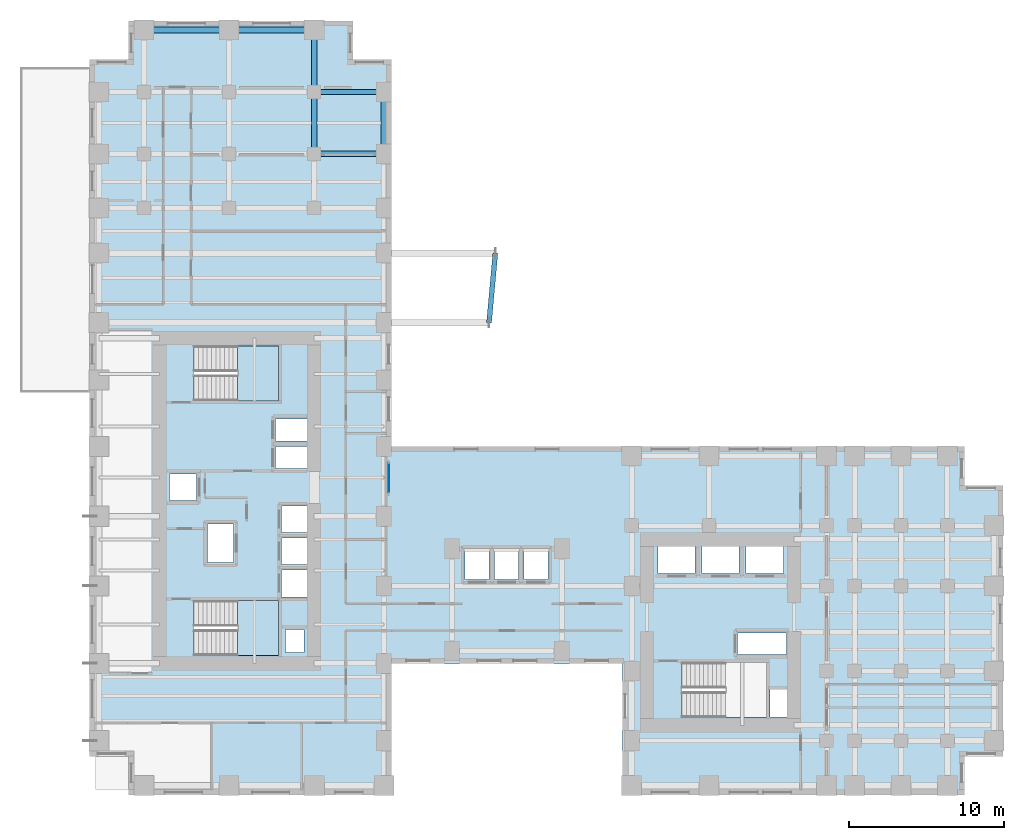
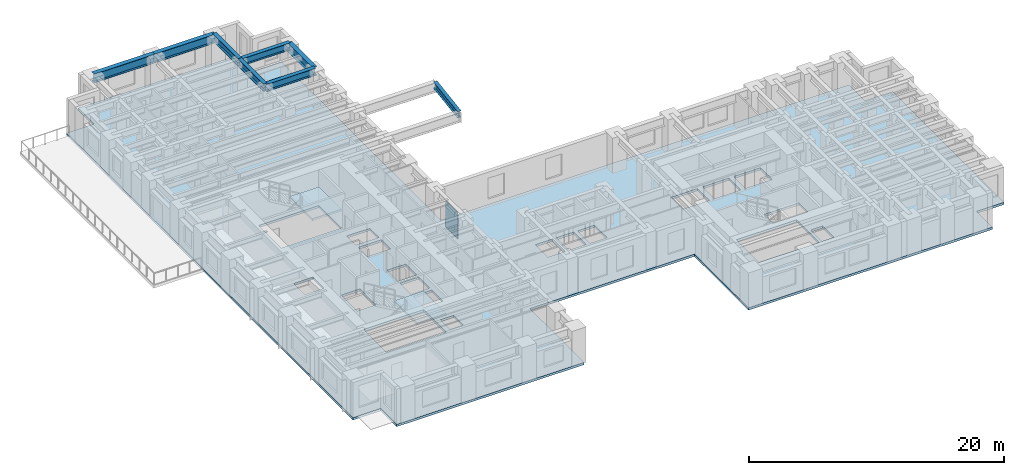
# One storey, part 4 of 15: 8 beams, 3 slabs, 1 plate, 3 elements without a shape of their own.
"""IFC4 building model written with IfcOpenShell, lengths in metres."""

from ifc_helpers import new_model, si_unit, direction, frame, origin, origin_2d, place, context, subcontext, project, spatial, polyline, rectangle, i_section, outline, extrude, source, transform, mapped, material, layer, layer_set, material_profile, profile_set, type_object, element, aggregate, save


model = new_model("IFC4")

# Units and contexts
model_context = context("Model", 3, precision=1e-05, world=origin(), true_north=direction((0.0, 1.0)))
body_context = subcontext(model_context, "Body", "Model", "MODEL_VIEW")
ifc_project = project(units=[si_unit("LENGTHUNIT", "METRE"), si_unit("AREAUNIT", "SQUARE_METRE"), si_unit("VOLUMEUNIT", "CUBIC_METRE"), si_unit("PLANEANGLEUNIT", "RADIAN"), si_unit("MASSUNIT", "GRAM", prefix="KILO")], contexts=[model_context])

# Site, building, storey
site_placement = place(None, origin())
site = spatial("IfcSite", under=ifc_project, at=site_placement, CompositionType="ELEMENT")
building_placement = place(site_placement, origin())
building = spatial("IfcBuilding", under=site, at=building_placement, Name="Kharzan Plaza Tower", CompositionType="ELEMENT")
storey_placement = place(building_placement, frame((0.0, 0.0, 22.5)))
storey = spatial("IfcBuildingStorey", under=building, at=storey_placement, Name="L05", CompositionType="ELEMENT", Elevation=22.5)

# Beams
ifc_material_1 = material(Name="Steel S355", Category="steel")
ifc_material_profile_1 = material_profile(ifc_material_1, i_section(OverallWidth=0.35498046875, OverallDepth=0.695068359375, WebThickness=0.015380859375, FlangeThickness=0.02490234375, at=origin_2d()), Name="W690x217")
ifc_profile_set_1 = profile_set([ifc_material_profile_1], Name="Steel S355")
beam_type_1 = type_object("IfcBeamType", Name="BM-FG690A", PredefinedType="BEAM", material=ifc_profile_set_1)
shared_shape_1 = source(origin(), body_context, "Body", "SweptSolid", [
    extrude(i_section(OverallWidth=0.35498046875, OverallDepth=0.695068359375, WebThickness=0.015380859375, FlangeThickness=0.02490234375, at=origin_2d()), origin(), (0.0, 0.0, 1.0), 4.5),
])
for number, where, z_axis, x_axis, name in (
    (1, (14.5, 41.39990234375, 3.032470703125), (1.0, 0.0, 0.0), (0.0, 1.0, 0.0), "L05 Primary Floor Girder"),
    (2, (14.5, 45.39990234375, 3.032470703125), (1.0, 0.0, 0.0), (0.0, 1.0, 0.0), "L05 Primary Floor Girder"),
):
    element("IfcBeam", number, at=place(storey_placement, frame(where, z_axis=z_axis, x_axis=x_axis)), inside=storey, type_object=beam_type_1, Name=name, PredefinedType="BEAM", context=body_context, shape_type="MappedRepresentation", body=[
        mapped(shared_shape_1, transform((0.0, 0.0, 0.0), x_axis=(1.0, 0.0, 0.0), y_axis=(0.0, 1.0, 0.0), z_axis=(0.0, 0.0, 1.0))),
    ])
shared_shape_2 = source(origin(), body_context, "Body", "SweptSolid", [
    extrude(i_section(OverallWidth=0.35498046875, OverallDepth=0.695068359375, WebThickness=0.015380859375, FlangeThickness=0.02490234375, at=origin_2d()), origin(), (0.0, 0.0, 1.0), 4.0),
])
for number, where, z_axis, x_axis, name in (
    (3, (14.5, 41.39990234375, 3.032470703125), (0.0, 1.0, 0.0), (-1.0, 0.0, 0.0), "L05 Interior Frame Girder"),
    (4, (14.5, 45.39990234375, 3.032470703125), (0.0, 1.0, 0.0), (-1.0, 0.0, 0.0), "L05 Interior Frame Girder"),
):
    element("IfcBeam", number, at=place(storey_placement, frame(where, z_axis=z_axis, x_axis=x_axis)), inside=storey, type_object=beam_type_1, Name=name, PredefinedType="BEAM", context=body_context, shape_type="MappedRepresentation", body=[
        mapped(shared_shape_2, transform((0.0, 0.0, 0.0), x_axis=(1.0, 0.0, 0.0), y_axis=(0.0, 1.0, 0.0), z_axis=(0.0, 0.0, 1.0))),
    ])
ifc_material_profile_2 = material_profile(ifc_material_1, i_section(OverallWidth=0.40087890625, OverallDepth=0.85498046875, WebThickness=0.018310546875, FlangeThickness=0.029296875, at=origin_2d()), Name="W840x299")
ifc_profile_set_2 = profile_set([ifc_material_profile_2], Name="Steel S355")
beam_type_2 = type_object("IfcBeamType", Name="BM-SP840A", PredefinedType="SPANDREL", material=ifc_profile_set_2)
shared_shape_3 = source(origin(), body_context, "Body", "SweptSolid", [
    extrude(i_section(OverallWidth=0.40087890625, OverallDepth=0.85498046875, WebThickness=0.018310546875, FlangeThickness=0.029296875, at=origin_2d()), origin(), (0.0, 0.0, 1.0), 4.0),
])
beam_1_placement = place(storey_placement, frame((19.0, 41.39990234375, 2.952392578125), z_axis=(0.0, 1.0, 0.0), x_axis=(-1.0, 0.0, 0.0)))
element("IfcBeam", 5, at=beam_1_placement, inside=storey, type_object=beam_type_2, Name="L05 Perimeter Tube Spandrel", PredefinedType="SPANDREL", context=body_context, shape_type="MappedRepresentation", body=[
    mapped(shared_shape_3, transform((0.0, 0.0, 0.0), x_axis=(1.0, 0.0, 0.0), y_axis=(0.0, 1.0, 0.0), z_axis=(0.0, 0.0, 1.0))),
])
shared_shape_4 = source(origin(), body_context, "Body", "SweptSolid", [
    extrude(i_section(OverallWidth=0.40087890625, OverallDepth=0.85498046875, WebThickness=0.018310546875, FlangeThickness=0.029296875, at=origin_2d()), origin(), (0.0, 0.0, 1.0), 5.5),
])
for number, where, z_axis, x_axis, name in (
    (6, (3.5, 49.39990234375, 2.952392578125), (1.0, 0.0, 0.0), (0.0, 1.0, 0.0), "L05 Perimeter Tube Spandrel"),
    (7, (9.0, 49.39990234375, 2.952392578125), (1.0, 0.0, 0.0), (0.0, 1.0, 0.0), "L05 Perimeter Tube Spandrel"),
):
    element("IfcBeam", number, at=place(storey_placement, frame(where, z_axis=z_axis, x_axis=x_axis)), inside=storey, type_object=beam_type_2, Name=name, PredefinedType="SPANDREL", context=body_context, shape_type="MappedRepresentation", body=[
        mapped(shared_shape_4, transform((0.0, 0.0, 0.0), x_axis=(1.0, 0.0, 0.0), y_axis=(0.0, 1.0, 0.0), z_axis=(0.0, 0.0, 1.0))),
    ])
ifc_material_profile_3 = material_profile(ifc_material_1, i_section(OverallWidth=0.324951171875, OverallDepth=0.615966796875, WebThickness=0.013916015625, FlangeThickness=0.021484375, at=origin_2d()), Name="W610x174")
ifc_profile_set_3 = profile_set([ifc_material_profile_3], Name="Steel S355")
beam_type_3 = type_object("IfcBeamType", Name="BM-ZTT610", PredefinedType="BEAM", material=ifc_profile_set_3)
shared_shape_5 = source(origin(), body_context, "Body", "SweptSolid", [
    extrude(i_section(OverallWidth=0.324951171875, OverallDepth=0.615966796875, WebThickness=0.013916015625, FlangeThickness=0.021484375, at=origin_2d()), origin(), (0.0, 0.0, 1.0), 4.5185546875),
])
beam_2_placement = place(storey_placement, frame((25.7900390625, 30.5, 3.072021484375), z_axis=(0.09071599143, 0.995876804077, 0.0), x_axis=(-0.995876804077, 0.09071599143, 0.0)))
element("IfcBeam", 8, at=beam_2_placement, inside=storey, type_object=beam_type_3, Name="L05 Sky-Terrace Edge Trimmer Beam ZTT1 (L06)", PredefinedType="BEAM", context=body_context, shape_type="MappedRepresentation", body=[
    mapped(shared_shape_5, transform((0.0, 0.0, 0.0), x_axis=(1.0, 0.0, 0.0), y_axis=(0.0, 1.0, 0.0), z_axis=(0.0, 0.0, 1.0))),
])

# Slab
ifc_material_2 = material(Name="Concrete C40/50", Category="concrete")
ifc_layer_1 = layer(ifc_material_2, 0.219970703125)
ifc_layer_set_1 = layer_set([ifc_layer_1], Name="Concrete C40/50")
slab_type_1 = type_object("IfcSlabType", Name="SL-FLOOR-220", PredefinedType="FLOOR", material=ifc_layer_set_1)
slab_1_placement = place(storey_placement, frame((0.0, 0.0, -0.219970703125)))
element("IfcSlab", 9, at=slab_1_placement, inside=storey, type_object=slab_type_1, Name="L05 Composite Structural Floor Slab 220 mm", PredefinedType="FLOOR", context=body_context, shape_type="SweptSolid", body=[
    extrude(outline(polyline([(34.39990234375, 22.5), (19.5, 22.5), (19.5, 47.5), (17.0, 47.5), (17.0, 50.0), (2.5, 50.0), (2.5, 47.5), (0.0, 47.5), (0.0, 2.5), (2.5, 2.5), (2.5, 0.0), (19.5, 0.0), (19.5, 8.5), (34.39990234375, 8.5), (34.39990234375, 0.0), (56.5, 0.0), (56.5, 2.5), (59.0, 2.5), (59.0, 20.0), (56.5, 20.0), (56.5, 22.5), (34.39990234375, 22.5)]), holes=[polyline([(13.85009765625, 9.199951171875), (13.85009765625, 10.699951171875), (12.64990234375, 10.699951171875), (12.64990234375, 9.199951171875), (13.85009765625, 9.199951171875)]), polyline([(12.199951171875, 9.0), (12.199951171875, 12.550048828125), (6.75, 12.550048828125), (6.75, 9.0), (12.199951171875, 9.0)]), polyline([(14.10009765625, 12.800048828125), (14.10009765625, 14.530029296875), (12.39990234375, 14.530029296875), (12.39990234375, 12.800048828125), (14.10009765625, 12.800048828125)]), polyline([(14.10009765625, 14.8701171875), (14.10009765625, 16.60009765625), (12.39990234375, 16.60009765625), (12.39990234375, 14.8701171875), (14.10009765625, 14.8701171875)]), polyline([(9.300048828125, 15.0), (9.300048828125, 17.5), (7.60009765625, 17.5), (7.60009765625, 15.0), (9.300048828125, 15.0)]), polyline([(14.10009765625, 16.93994140625), (14.10009765625, 18.64990234375), (12.39990234375, 18.64990234375), (12.39990234375, 16.93994140625), (14.10009765625, 16.93994140625)]), polyline([(6.89990234375, 19.010009765625), (6.89990234375, 20.72998046875), (5.14990234375, 20.72998046875), (5.14990234375, 19.010009765625), (6.89990234375, 19.010009765625)]), polyline([(12.0, 21.070068359375), (14.10009765625, 21.070068359375), (14.10009765625, 22.489990234375), (12.0, 22.489990234375), (12.0, 21.070068359375)]), polyline([(12.0, 22.8701171875), (14.10009765625, 22.8701171875), (14.10009765625, 24.2900390625), (12.0, 24.2900390625), (12.0, 22.8701171875)]), polyline([(12.199951171875, 25.449951171875), (12.199951171875, 29.0), (6.75, 29.0), (6.75, 25.449951171875), (12.199951171875, 25.449951171875)]), polyline([(45.050048828125, 5.050048828125), (45.050048828125, 6.800048828125), (43.949951171875, 6.800048828125), (43.949951171875, 5.050048828125), (45.050048828125, 5.050048828125)]), polyline([(43.699951171875, 5.0), (43.699951171875, 8.550048828125), (38.25, 8.550048828125), (38.25, 5.0), (43.699951171875, 5.0)]), polyline([(41.85009765625, 9.070068359375), (45.0, 9.070068359375), (45.0, 10.469970703125), (41.85009765625, 10.469970703125), (41.85009765625, 9.070068359375)]), polyline([(24.25, 13.89990234375), (25.800048828125, 13.89990234375), (25.800048828125, 15.85009765625), (24.25, 15.85009765625), (24.25, 13.89990234375)]), polyline([(27.699951171875, 13.89990234375), (27.699951171875, 15.85009765625), (26.14990234375, 15.85009765625), (26.14990234375, 13.89990234375), (27.699951171875, 13.89990234375)]), polyline([(29.60009765625, 13.89990234375), (29.60009765625, 15.85009765625), (28.050048828125, 15.85009765625), (28.050048828125, 13.89990234375), (29.60009765625, 13.89990234375)]), polyline([(39.10009765625, 14.300048828125), (39.10009765625, 16.14990234375), (36.699951171875, 16.14990234375), (36.699951171875, 14.300048828125), (39.10009765625, 14.300048828125)]), polyline([(39.550048828125, 14.300048828125), (41.949951171875, 14.300048828125), (41.949951171875, 16.14990234375), (39.550048828125, 16.14990234375), (39.550048828125, 14.300048828125)]), polyline([(42.39990234375, 14.300048828125), (44.800048828125, 14.300048828125), (44.800048828125, 16.14990234375), (42.39990234375, 16.14990234375), (42.39990234375, 14.300048828125)])]), origin(), (0.0, 0.0, 1.0), 0.219970703125),
])

# Stair, slab
stair_type_1 = type_object("IfcStairType", Name="STR-ST-1", PredefinedType="HALF_TURN_STAIR", material=ifc_material_2)
stair_1_placement = place(storey_placement, origin())
stair_1 = element("IfcStair", 10, at=stair_1_placement, inside=storey, type_object=stair_type_1, Name="L05 Protected Exit Stair ST-1", PredefinedType="HALF_TURN_STAIR")
ifc_layer_2 = layer(ifc_material_2, 0.219970703125)
ifc_layer_set_2 = layer_set([ifc_layer_2], Name="Concrete C40/50")
slab_type_2 = type_object("IfcSlabType", Name="SL-LANDING-220", PredefinedType="LANDING", material=ifc_layer_set_2)
slab_2_placement = place(storey_placement, frame((0.0, 0.0, 1.60009765625)))
slab_2 = element("IfcSlab", 11, at=slab_2_placement, type_object=slab_type_2, Name="ST-1 landing 1", PredefinedType="LANDING", context=body_context, shape_type="SweptSolid", body=[
    extrude(outline(polyline([(9.550048828125, 9.0), (12.199951171875, 9.0), (12.199951171875, 12.550048828125), (9.550048828125, 12.550048828125), (9.550048828125, 9.0)])), origin(), (0.0, 0.0, 1.0), 0.199951171875),
])
aggregate(stair_1, [slab_2])

stair_type_2 = type_object("IfcStairType", Name="STR-ST-2", PredefinedType="HALF_TURN_STAIR", material=ifc_material_2)
stair_2_placement = place(storey_placement, origin())
stair_2 = element("IfcStair", 12, at=stair_2_placement, inside=storey, type_object=stair_type_2, Name="L05 Protected Exit Stair ST-2", PredefinedType="HALF_TURN_STAIR")
slab_3_placement = place(storey_placement, frame((0.0, 0.0, 1.60009765625)))
slab_3 = element("IfcSlab", 13, at=slab_3_placement, type_object=slab_type_2, Name="ST-2 landing 1", PredefinedType="LANDING", context=body_context, shape_type="SweptSolid", body=[
    extrude(outline(polyline([(9.550048828125, 25.449951171875), (12.199951171875, 25.449951171875), (12.199951171875, 29.0), (9.550048828125, 29.0), (9.550048828125, 25.449951171875)])), origin(), (0.0, 0.0, 1.0), 0.199951171875),
])
aggregate(stair_2, [slab_3])

# Curtain wall, plate
ifc_material_3 = material(Name="Unitised Bronze-Anodized Aluminium and Low-E Glass", Category="aluminium")
ifc_layer_3 = layer(ifc_material_3, 0.199951171875)
ifc_layer_set_3 = layer_set([ifc_layer_3], Name="Unitised Bronze-Anodized Aluminium and Low-E Glass")
curtain_wall_type = type_object("IfcCurtainWallType", Name="CW-SLOT-3", PredefinedType="NOTDEFINED", material=ifc_layer_set_3)
curtain_wall_placement = place(storey_placement, origin())
curtain_wall = element("IfcCurtainWall", 14, at=curtain_wall_placement, inside=storey, type_object=curtain_wall_type, Name="L05 West Slot Recessed Spine Curtain Wall", PredefinedType="NOTDEFINED")
ifc_material_4 = material(Name="Dark Solar-Control Double Glazing", Category="glass")
ifc_layer_4 = layer(ifc_material_4, 0.031982421875)
ifc_layer_set_4 = layer_set([ifc_layer_4], Name="Dark Solar-Control Double Glazing")
plate_type = type_object("IfcPlateType", Name="PLT-CW-GLASS", PredefinedType="CURTAIN_PANEL", material=ifc_layer_set_4)
shared_shape_6 = source(origin(), body_context, "Body", "SweptSolid", [
    extrude(rectangle(XDim=1.929931640625, YDim=0.031982421875, at=origin_2d()), origin(), (0.0, 0.0, 1.0), 2.5400390625),
])
plate_placement = place(storey_placement, frame((19.320068359375, 20.47509765625, 0.080078125), z_axis=(0.0, 0.0, 1.0), x_axis=(0.0, 1.0, 0.0)))
plate = element("IfcPlate", 15, at=plate_placement, type_object=plate_type, Name="L05 Curtain-Wall Glazed Panel 00", PredefinedType="CURTAIN_PANEL", context=body_context, shape_type="MappedRepresentation", body=[
    mapped(shared_shape_6, transform((0.0, 0.0, 0.0), x_axis=(1.0, 0.0, 0.0), y_axis=(0.0, 1.0, 0.0), z_axis=(0.0, 0.0, 1.0))),
])
aggregate(curtain_wall, [plate])

save(model, "model.ifc")
